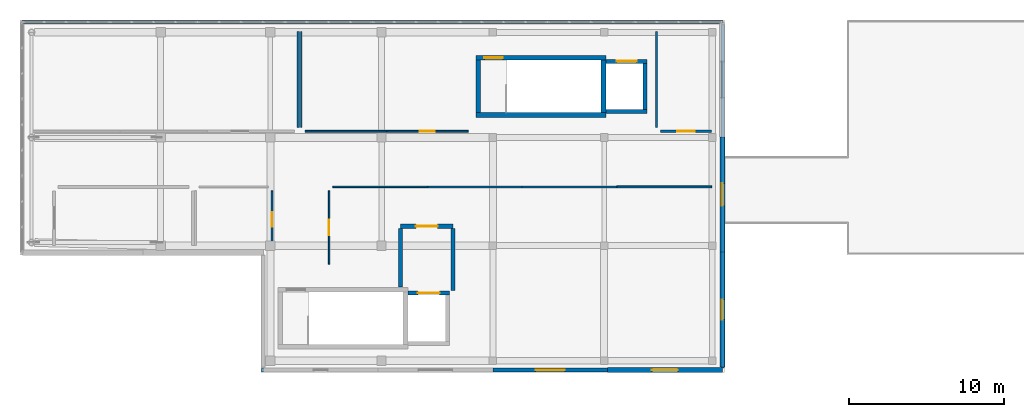
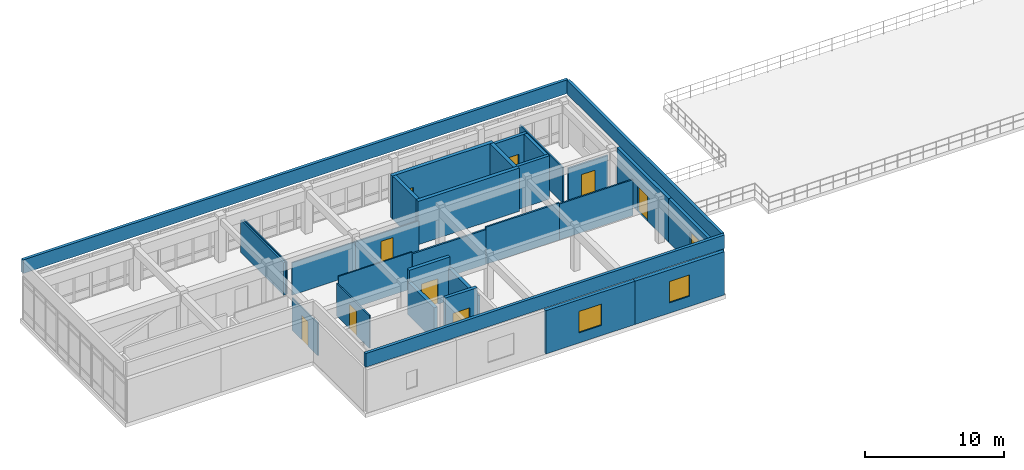
# One storey, part 13 of 14: 30 walls, 9 doors, 3 windows, 12 openings.
"""IFC4 building model written with IfcOpenShell, lengths in metres."""

from ifc_helpers import new_model, si_unit, direction, frame, frame_2d, origin, place, context, subcontext, project, spatial, rectangle, extrude, material, layer, layer_set, type_object, element, fill, save


model = new_model("IFC4")

# Units and contexts
model_context = context("Model", 3, precision=1e-05, world=origin(), true_north=direction((0.0, 1.0)))
body_context = subcontext(model_context, "Body", "Model", "MODEL_VIEW")
ifc_project = project(units=[si_unit("LENGTHUNIT", "METRE"), si_unit("AREAUNIT", "SQUARE_METRE"), si_unit("VOLUMEUNIT", "CUBIC_METRE"), si_unit("PLANEANGLEUNIT", "RADIAN"), si_unit("MASSUNIT", "GRAM", prefix="KILO")], contexts=[model_context])

# Site, building, storey
site_placement = place(None, origin())
site = spatial("IfcSite", under=ifc_project, at=site_placement, CompositionType="ELEMENT")
building_placement = place(site_placement, origin())
building = spatial("IfcBuilding", under=site, at=building_placement, Name="Valcora Specialist Clinic", CompositionType="ELEMENT")
storey_placement = place(building_placement, frame((0.0, 0.0, 21.760009765625)))
storey = spatial("IfcBuildingStorey", under=building, at=storey_placement, Name="L05", CompositionType="ELEMENT", Elevation=21.760009765625)

# Wall, opening, door
ifc_material_1 = material(Name="Concrete C40/50", Category="concrete")
ifc_layer_1 = layer(ifc_material_1, 0.284912109375)
ifc_layer_set_1 = layer_set([ifc_layer_1], Name="Concrete C40/50")
wall_type_1 = type_object("IfcWallType", Name="TY-WL-CR285", PredefinedType="SHEAR", material=ifc_layer_set_1)
wall_1_placement = place(storey_placement, frame((24.6201171875, 9.4599609375, 0.0), z_axis=(0.0, 0.0, 1.0), x_axis=(1.0, 0.0, 0.0)))
wall_1 = element("IfcWall", 1, at=wall_1_placement, inside=storey, type_object=wall_type_1, Name="Firefighting lobby front wall WL-FFL-LF-05-L05-F", PredefinedType="SHEAR", context=body_context, shape_type="SweptSolid", body=[
    extrude(rectangle(XDim=3.39990234375, YDim=0.284912109375, at=frame_2d((1.699951171875, 0.0))), origin(), (0.0, 0.0, 1.0), 3.81005859375),
])
opening_1_placement = place(wall_1_placement, frame((1.0, 0.0, 0.0)))
opening_1 = element("IfcOpeningElement", 2, at=opening_1_placement, cuts=wall_1, Name="Opening DR-FF-140", PredefinedType="OPENING", context=body_context, shape_type="SweptSolid", body=[
    extrude(rectangle(XDim=1.39990234375, YDim=2.25, at=frame_2d((0.699951171875, 1.125))), frame((0.0, 0.15234375, 0.0), z_axis=(0.0, -1.0, 0.0), x_axis=(1.0, 0.0, 0.0)), (0.0, 0.0, 1.0), 0.304931640625),
])
ifc_material_2 = material(Name="Galvanized Hollow Metal Door Steel ASTM A653", Category="steel")
door_type_1 = type_object("IfcDoorType", Name="TY-DR-FF140", OperationType="NOTDEFINED", PredefinedType="DOOR", material=ifc_material_2)
door_1_placement = place(opening_1_placement, origin())
door_1 = element("IfcDoor", 3, at=door_1_placement, inside=storey, type_object=door_type_1, Name="Firefighting lobby fire door LF-05 L05", OperationType="SINGLE_SWING_LEFT", OverallHeight=2.25, OverallWidth=1.39990234375, PredefinedType="DOOR", context=body_context, shape_type="SweptSolid", body=[
    extrude(rectangle(XDim=1.39990234375, YDim=2.25, at=frame_2d((0.699951171875, 1.125))), frame((0.0, 0.02490234375, 0.0), z_axis=(0.0, -1.0, 0.0), x_axis=(1.0, 0.0, 0.0)), (0.0, 0.0, 1.0), 0.050048828125),
])
fill(opening_1, door_1)

# Walls
wall_2_placement = place(storey_placement, frame((24.6201171875, 5.52001953125, 0.0), z_axis=(0.0, 0.0, 1.0), x_axis=(0.0, 1.0, 0.0)))
element("IfcWall", 4, at=wall_2_placement, inside=storey, type_object=wall_type_1, Name="Firefighting lobby west wall", PredefinedType="SHEAR", context=body_context, shape_type="SweptSolid", body=[
    extrude(rectangle(XDim=3.7900390625, YDim=0.284912109375, at=frame_2d((1.89501953125, 0.0))), origin(), (0.0, 0.0, 1.0), 2.860107421875),
])
wall_3_placement = place(storey_placement, frame((28.02001953125, 5.280029296875, 0.0), z_axis=(0.0, 0.0, 1.0), x_axis=(0.0, 1.0, 0.0)))
element("IfcWall", 5, at=wall_3_placement, inside=storey, type_object=wall_type_1, Name="Firefighting lobby east wall", PredefinedType="SHEAR", context=body_context, shape_type="SweptSolid", body=[
    extrude(rectangle(XDim=4.030029296875, YDim=0.284912109375, at=frame_2d((2.01513671875, 0.0))), origin(), (0.0, 0.0, 1.0), 2.860107421875),
])
ifc_layer_2 = layer(ifc_material_1, 0.300048828125)
ifc_layer_set_2 = layer_set([ifc_layer_2], Name="Concrete C40/50")
wall_type_2 = type_object("IfcWallType", Name="TY-WL-CR300", PredefinedType="SHEAR", material=ifc_layer_set_2)
wall_4_placement = place(storey_placement, frame((29.5, 16.64990234375, 0.0), z_axis=(0.0, 0.0, 1.0), x_axis=(1.0, 0.0, 0.0)))
element("IfcWall", 6, at=wall_4_placement, inside=storey, type_object=wall_type_2, Name="Core shear wall WL-CR-C-V5B-L05-S", PredefinedType="SHEAR", context=body_context, shape_type="SweptSolid", body=[
    extrude(rectangle(XDim=8.419921875, YDim=0.300048828125, at=frame_2d((4.2099609375, 0.0))), origin(), (0.0, 0.0, 1.0), 3.81005859375),
])

# Wall, opening, door
wall_5_placement = place(storey_placement, frame((29.5, 20.35009765625, 0.0), z_axis=(0.0, 0.0, 1.0), x_axis=(1.0, 0.0, 0.0)))
wall_5 = element("IfcWall", 7, at=wall_5_placement, inside=storey, type_object=wall_type_2, Name="Core shear wall WL-CR-C-V5B-L05-N", PredefinedType="SHEAR", context=body_context, shape_type="SweptSolid", body=[
    extrude(rectangle(XDim=8.419921875, YDim=0.300048828125, at=frame_2d((4.2099609375, 0.0))), origin(), (0.0, 0.0, 1.0), 3.81005859375),
])
opening_2_placement = place(wall_5_placement, frame((0.550048828125, 0.0, 0.0)))
opening_2 = element("IfcOpeningElement", 8, at=opening_2_placement, cuts=wall_5, Name="Opening DR-FD-120", PredefinedType="OPENING", context=body_context, shape_type="SweptSolid", body=[
    extrude(rectangle(XDim=1.199951171875, YDim=2.199951171875, at=frame_2d((0.60009765625, 1.10009765625))), frame((0.0, 0.159912109375, 0.0), z_axis=(0.0, -1.0, 0.0), x_axis=(1.0, 0.0, 0.0)), (0.0, 0.0, 1.0), 0.320068359375),
])
door_type_2 = type_object("IfcDoorType", Name="TY-DR-ST120", OperationType="NOTDEFINED", PredefinedType="DOOR", material=ifc_material_2)
door_2_placement = place(opening_2_placement, origin())
door_2 = element("IfcDoor", 9, at=door_2_placement, inside=storey, type_object=door_type_2, Name="Exit stair fire door C-V5B L05", OperationType="SINGLE_SWING_RIGHT", OverallHeight=2.199951171875, OverallWidth=1.199951171875, PredefinedType="DOOR", context=body_context, shape_type="SweptSolid", body=[
    extrude(rectangle(XDim=1.199951171875, YDim=2.199951171875, at=frame_2d((0.60009765625, 1.10009765625))), frame((0.0, 0.02490234375, 0.0), z_axis=(0.0, -1.0, 0.0), x_axis=(1.0, 0.0, 0.0)), (0.0, 0.0, 1.0), 0.050048828125),
])
fill(opening_2, door_2)

# Walls
wall_6_placement = place(storey_placement, frame((29.64990234375, 16.802001953125, 0.0), z_axis=(0.0, 0.0, 1.0), x_axis=(0.0, 1.0, 0.0)))
element("IfcWall", 10, at=wall_6_placement, inside=storey, type_object=wall_type_2, Name="Core shear wall WL-CR-C-V5B-L05-W", PredefinedType="SHEAR", context=body_context, shape_type="SweptSolid", body=[
    extrude(rectangle(XDim=3.39599609375, YDim=0.300048828125, at=frame_2d((1.697998046875, 0.0))), origin(), (0.0, 0.0, 1.0), 3.81005859375),
])
ifc_layer_3 = layer(ifc_material_1, 0.320068359375)
ifc_layer_set_3 = layer_set([ifc_layer_3], Name="Concrete C40/50")
wall_type_3 = type_object("IfcWallType", Name="TY-WL-CR320", PredefinedType="SHEAR", material=ifc_layer_set_3)
wall_7_placement = place(storey_placement, frame((37.760009765625, 16.802001953125, 0.0), z_axis=(0.0, 0.0, 1.0), x_axis=(0.0, 1.0, 0.0)))
element("IfcWall", 11, at=wall_7_placement, inside=storey, type_object=wall_type_3, Name="Core shear wall WL-CR-C-V5B-L05-E", PredefinedType="SHEAR", context=body_context, shape_type="SweptSolid", body=[
    extrude(rectangle(XDim=3.39599609375, YDim=0.320068359375, at=frame_2d((1.697998046875, 0.0))), origin(), (0.0, 0.0, 1.0), 3.81005859375),
])

# Wall, opening, window
ifc_material_3 = material(Name="Extruded Jalisco Clay Brick Masonry", Category="masonry")
ifc_layer_4 = layer(ifc_material_3, 0.280029296875)
ifc_layer_set_4 = layer_set([ifc_layer_4], Name="Extruded Jalisco Clay Brick Masonry")
wall_type_4 = type_object("IfcWallType", Name="TY-WL-EW280", PredefinedType="SOLIDWALL", material=ifc_layer_set_4)
wall_8_placement = place(storey_placement, frame((38.02490234375, 0.14990234375, 0.0), z_axis=(0.0, 0.0, 1.0), x_axis=(-1.0, 0.0, 0.0)))
wall_8 = element("IfcWall", 12, at=wall_8_placement, inside=storey, type_object=wall_type_4, Name="Exterior wall WL-EXT-L05-0297", PredefinedType="SOLIDWALL", context=body_context, shape_type="SweptSolid", body=[
    extrude(rectangle(XDim=7.4248046875, YDim=0.280029296875, at=frame_2d((3.71240234375, 0.0))), origin(), (0.0, 0.0, 1.0), 3.81005859375),
])
opening_3_placement = place(wall_8_placement, frame((2.77197265625, 0.0, 0.89990234375)))
opening_3 = element("IfcOpeningElement", 13, at=opening_3_placement, cuts=wall_8, Name="Opening WN-41", PredefinedType="OPENING", context=body_context, shape_type="SweptSolid", body=[
    extrude(rectangle(XDim=1.8798828125, YDim=1.8798828125, at=frame_2d((0.93994140625, 0.93994140625))), frame((0.0, 0.14990234375, 0.0), z_axis=(0.0, -1.0, 0.0), x_axis=(1.0, 0.0, 0.0)), (0.0, 0.0, 1.0), 0.300048828125),
])
ifc_material_4 = material(Name="Low-E Laminated Insulating Glass", Category="glass")
window_type_1 = type_object("IfcWindowType", Name="TY-WN-41", PartitioningType="SINGLE_PANEL", PredefinedType="WINDOW", material=ifc_material_4)
window_1_placement = place(opening_3_placement, origin())
window_1 = element("IfcWindow", 14, at=window_1_placement, inside=storey, type_object=window_type_1, Name="Facade window WN-L05-0251", OverallHeight=1.8798828125, OverallWidth=1.8798828125, PartitioningType="SINGLE_PANEL", PredefinedType="WINDOW", context=body_context, shape_type="SweptSolid", body=[
    extrude(rectangle(XDim=1.8798828125, YDim=1.8798828125, at=frame_2d((0.93994140625, 0.93994140625))), frame((0.0, 0.030029296875, 0.0), z_axis=(0.0, -1.0, 0.0), x_axis=(1.0, 0.0, 0.0)), (0.0, 0.0, 1.0), 0.06005859375),
])
fill(opening_3, window_1)

ifc_layer_5 = layer(ifc_material_3, 0.294921875)
ifc_layer_set_5 = layer_set([ifc_layer_5], Name="Extruded Jalisco Clay Brick Masonry")
wall_type_5 = type_object("IfcWallType", Name="TY-WL-EW295", PredefinedType="SOLIDWALL", material=ifc_layer_set_5)
wall_9_placement = place(storey_placement, frame((45.449951171875, 0.14990234375, 0.0), z_axis=(0.0, 0.0, 1.0), x_axis=(-1.0, 0.0, 0.0)))
wall_9 = element("IfcWall", 15, at=wall_9_placement, inside=storey, type_object=wall_type_5, Name="Exterior wall WL-EXT-L05-0296", PredefinedType="SOLIDWALL", context=body_context, shape_type="SweptSolid", body=[
    extrude(rectangle(XDim=7.425048828125, YDim=0.294921875, at=frame_2d((3.71240234375, 0.0))), origin(), (0.0, 0.0, 1.0), 3.81005859375),
])
opening_4_placement = place(wall_9_placement, frame((2.873046875, 0.0, 0.89990234375)))
opening_4 = element("IfcOpeningElement", 16, at=opening_4_placement, cuts=wall_9, Name="Opening WN-40", PredefinedType="OPENING", context=body_context, shape_type="SweptSolid", body=[
    extrude(rectangle(XDim=1.679931640625, YDim=1.8798828125, at=frame_2d((0.83984375, 0.93994140625))), frame((0.0, 0.157470703125, 0.0), z_axis=(0.0, -1.0, 0.0), x_axis=(1.0, 0.0, 0.0)), (0.0, 0.0, 1.0), 0.31494140625),
])
window_type_2 = type_object("IfcWindowType", Name="TY-WN-40", PartitioningType="SINGLE_PANEL", PredefinedType="WINDOW", material=ifc_material_4)
window_2_placement = place(opening_4_placement, origin())
window_2 = element("IfcWindow", 17, at=window_2_placement, inside=storey, type_object=window_type_2, Name="Facade window WN-L05-0250", OverallHeight=1.8798828125, OverallWidth=1.679931640625, PartitioningType="SINGLE_PANEL", PredefinedType="WINDOW", context=body_context, shape_type="SweptSolid", body=[
    extrude(rectangle(XDim=1.679931640625, YDim=1.8798828125, at=frame_2d((0.83984375, 0.93994140625))), frame((0.0, 0.030029296875, 0.0), z_axis=(0.0, -1.0, 0.0), x_axis=(1.0, 0.0, 0.0)), (0.0, 0.0, 1.0), 0.06005859375),
])
fill(opening_4, window_2)

ifc_layer_6 = layer(ifc_material_3, 0.31005859375)
ifc_layer_set_6 = layer_set([ifc_layer_6], Name="Extruded Jalisco Clay Brick Masonry")
wall_type_6 = type_object("IfcWallType", Name="TY-WL-EW310", PredefinedType="SOLIDWALL", material=ifc_layer_set_6)
wall_10_placement = place(storey_placement, frame((45.449951171875, 7.776611328125, 0.0), z_axis=(0.0, 0.0, 1.0), x_axis=(0.0, -1.0, 0.0)))
wall_10 = element("IfcWall", 18, at=wall_10_placement, inside=storey, type_object=wall_type_6, Name="Exterior wall WL-EXT-L05-0295", PredefinedType="SOLIDWALL", context=body_context, shape_type="SweptSolid", body=[
    extrude(rectangle(XDim=7.4365234375, YDim=0.31005859375, at=frame_2d((3.71826171875, 0.0))), origin(), (0.0, 0.0, 1.0), 3.81005859375),
])
opening_5_placement = place(wall_10_placement, frame((3.077880859375, 0.0, 0.89990234375)))
opening_5 = element("IfcOpeningElement", 19, at=opening_5_placement, cuts=wall_10, Name="Opening WN-39", PredefinedType="OPENING", context=body_context, shape_type="SweptSolid", body=[
    extrude(rectangle(XDim=1.280029296875, YDim=1.8798828125, at=frame_2d((0.64013671875, 0.93994140625))), frame((0.0, 0.1650390625, 0.0), z_axis=(0.0, -1.0, 0.0), x_axis=(1.0, 0.0, 0.0)), (0.0, 0.0, 1.0), 0.330078125),
])
window_type_3 = type_object("IfcWindowType", Name="TY-WN-39", PartitioningType="SINGLE_PANEL", PredefinedType="WINDOW", material=ifc_material_4)
window_3_placement = place(opening_5_placement, origin())
window_3 = element("IfcWindow", 20, at=window_3_placement, inside=storey, type_object=window_type_3, Name="Facade window WN-L05-0249", OverallHeight=1.8798828125, OverallWidth=1.280029296875, PartitioningType="SINGLE_PANEL", PredefinedType="WINDOW", context=body_context, shape_type="SweptSolid", body=[
    extrude(rectangle(XDim=1.280029296875, YDim=1.8798828125, at=frame_2d((0.64013671875, 0.93994140625))), frame((0.0, 0.030029296875, 0.0), z_axis=(0.0, -1.0, 0.0), x_axis=(1.0, 0.0, 0.0)), (0.0, 0.0, 1.0), 0.06005859375),
])
fill(opening_5, window_3)

# Wall, opening, door
ifc_layer_7 = layer(ifc_material_3, 0.324951171875)
ifc_layer_set_7 = layer_set([ifc_layer_7], Name="Extruded Jalisco Clay Brick Masonry")
wall_type_7 = type_object("IfcWallType", Name="TY-WL-EW325", PredefinedType="SOLIDWALL", material=ifc_layer_set_7)
wall_11_placement = place(storey_placement, frame((45.449951171875, 15.21337890625, 0.0), z_axis=(0.0, 0.0, 1.0), x_axis=(0.0, -1.0, 0.0)))
wall_11 = element("IfcWall", 21, at=wall_11_placement, inside=storey, type_object=wall_type_7, Name="Exterior wall WL-EXT-L05-0294", PredefinedType="SOLIDWALL", context=body_context, shape_type="SweptSolid", body=[
    extrude(rectangle(XDim=7.436767578125, YDim=0.324951171875, at=frame_2d((3.71826171875, 0.0))), origin(), (0.0, 0.0, 1.0), 3.81005859375),
])
opening_6_placement = place(wall_11_placement, frame((2.992919921875, 0.0, 0.0)))
opening_6 = element("IfcOpeningElement", 22, at=opening_6_placement, cuts=wall_11, Name="Opening DR-TR-145", PredefinedType="OPENING", context=body_context, shape_type="SweptSolid", body=[
    extrude(rectangle(XDim=1.449951171875, YDim=2.199951171875, at=frame_2d((0.72509765625, 1.10009765625))), frame((0.0, 0.17236328125, 0.0), z_axis=(0.0, -1.0, 0.0), x_axis=(1.0, 0.0, 0.0)), (0.0, 0.0, 1.0), 0.344970703125),
])
ifc_material_5 = material(Name="Anodized Bronze Aluminium 6063-T6", Category="aluminium")
door_type_3 = type_object("IfcDoorType", Name="TY-DR-TR145", OperationType="NOTDEFINED", PredefinedType="DOOR", material=ifc_material_5)
door_3_placement = place(opening_6_placement, origin())
door_3 = element("IfcDoor", 23, at=door_3_placement, inside=storey, type_object=door_type_3, Name="Exterior door DR-EXT-L05-019", OperationType="SINGLE_SWING_LEFT", OverallHeight=2.199951171875, OverallWidth=1.449951171875, PredefinedType="DOOR", context=body_context, shape_type="SweptSolid", body=[
    extrude(rectangle(XDim=1.449951171875, YDim=2.199951171875, at=frame_2d((0.72509765625, 1.10009765625))), frame((0.0, 0.02490234375, 0.0), z_axis=(0.0, -1.0, 0.0), x_axis=(1.0, 0.0, 0.0)), (0.0, 0.0, 1.0), 0.050048828125),
])
fill(opening_6, door_3)

# Walls
ifc_layer_8 = layer(ifc_material_3, 0.2451171875)
ifc_layer_set_8 = layer_set([ifc_layer_8], Name="Extruded Jalisco Clay Brick Masonry")
wall_type_8 = type_object("IfcWallType", Name="TY-WL-PP245", PredefinedType="PARAPET", material=ifc_layer_set_8)
wall_12_placement = place(storey_placement, frame((15.6201171875, 0.1298828125, 4.080078125), z_axis=(0.0, 0.0, 1.0), x_axis=(1.0, 0.0, 0.0)))
element("IfcWall", 24, at=wall_12_placement, inside=storey, type_object=wall_type_8, Name="Roof parapet 1", PredefinedType="PARAPET", context=body_context, shape_type="SweptSolid", body=[
    extrude(rectangle(XDim=29.849853515625, YDim=0.2451171875, at=frame_2d((14.9248046875, 0.0))), origin(), (0.0, 0.0, 1.0), 1.199951171875),
])
wall_13_placement = place(storey_placement, frame((45.469970703125, 0.280029296875, 4.080078125), z_axis=(0.0, 0.0, 1.0), x_axis=(0.0, 1.0, 0.0)))
element("IfcWall", 25, at=wall_13_placement, inside=storey, type_object=wall_type_8, Name="Roof parapet 2", PredefinedType="PARAPET", context=body_context, shape_type="SweptSolid", body=[
    extrude(rectangle(XDim=22.239990234375, YDim=0.2451171875, at=frame_2d((11.1201171875, 0.0))), origin(), (0.0, 0.0, 1.0), 1.199951171875),
])
wall_14_placement = place(storey_placement, frame((45.469970703125, 22.669921875, 4.080078125), z_axis=(0.0, 0.0, 1.0), x_axis=(-1.0, 0.0, 0.0)))
element("IfcWall", 26, at=wall_14_placement, inside=storey, type_object=wall_type_8, Name="Roof parapet 3", PredefinedType="PARAPET", context=body_context, shape_type="SweptSolid", body=[
    extrude(rectangle(XDim=45.340087890625, YDim=0.2451171875, at=frame_2d((22.669921875, 0.0))), origin(), (0.0, 0.0, 1.0), 1.199951171875),
])
ifc_material_6 = material(Name="Gypsum Board Partition Assembly")
ifc_layer_9 = layer(ifc_material_6, 0.094970703125)
ifc_layer_set_9 = layer_set([ifc_layer_9], Name="Gypsum Board Partition Assembly")
wall_type_9 = type_object("IfcWallType", Name="TY-WL-PT095", PredefinedType="PARTITIONING", material=ifc_layer_set_9)
wall_15_placement = place(storey_placement, frame((20.25, 12.0, 0.0), z_axis=(0.0, 0.0, 1.0), x_axis=(1.0, 0.0, 0.0)))
element("IfcWall", 27, at=wall_15_placement, inside=storey, type_object=wall_type_9, Name="Interior partition WL-INT-L05-0497", PredefinedType="PARTITIONING", context=body_context, shape_type="SweptSolid", body=[
    extrude(rectangle(XDim=6.125, YDim=0.094970703125, at=frame_2d((3.0625, 0.0))), origin(), (0.0, 0.0, 1.0), 3.2099609375),
])
wall_16_placement = place(storey_placement, frame((18.199951171875, 15.85009765625, 0.0), z_axis=(0.0, 0.0, 1.0), x_axis=(0.0, 1.0, 0.0)))
element("IfcWall", 28, at=wall_16_placement, inside=storey, type_object=wall_type_9, Name="Interior partition WL-INT-L05-0503", PredefinedType="PARTITIONING", context=body_context, shape_type="SweptSolid", body=[
    extrude(rectangle(XDim=6.199951171875, YDim=0.094970703125, at=frame_2d((3.10009765625, 0.0))), origin(), (0.0, 0.0, 1.0), 2.860107421875),
])

# Wall, opening, door
ifc_layer_10 = layer(ifc_material_6, 0.10498046875)
ifc_layer_set_10 = layer_set([ifc_layer_10], Name="Gypsum Board Partition Assembly")
wall_type_10 = type_object("IfcWallType", Name="TY-WL-PT105", PredefinedType="PARTITIONING", material=ifc_layer_set_10)
wall_17_placement = place(storey_placement, frame((20.0, 7.0, 0.0), z_axis=(0.0, 0.0, 1.0), x_axis=(0.0, 1.0, 0.0)))
wall_17 = element("IfcWall", 29, at=wall_17_placement, inside=storey, type_object=wall_type_10, Name="Interior partition WL-INT-L05-0496", PredefinedType="PARTITIONING", context=body_context, shape_type="SweptSolid", body=[
    extrude(rectangle(XDim=4.75, YDim=0.10498046875, at=frame_2d((2.375, 0.0))), origin(), (0.0, 0.0, 1.0), 2.860107421875),
])
opening_7_placement = place(wall_17_placement, frame((1.864990234375, 0.0, 0.0)))
opening_7 = element("IfcOpeningElement", 30, at=opening_7_placement, cuts=wall_17, Name="Opening DR-CN-102", PredefinedType="OPENING", context=body_context, shape_type="SweptSolid", body=[
    extrude(rectangle(XDim=1.02001953125, YDim=2.14990234375, at=frame_2d((0.510009765625, 1.074951171875))), frame((0.0, 0.0625, 0.0), z_axis=(0.0, -1.0, 0.0), x_axis=(1.0, 0.0, 0.0)), (0.0, 0.0, 1.0), 0.125),
])
ifc_material_7 = material(Name="Glulam Conifer Class 24F", Category="wood")
door_type_4 = type_object("IfcDoorType", Name="TY-DR-CN102", OperationType="NOTDEFINED", PredefinedType="DOOR", material=ifc_material_7)
door_4_placement = place(opening_7_placement, origin())
door_4 = element("IfcDoor", 31, at=door_4_placement, inside=storey, type_object=door_type_4, Name="Interior door DR-INT-L05-0139", OperationType="SINGLE_SWING_LEFT", OverallHeight=2.14990234375, OverallWidth=1.02001953125, PredefinedType="DOOR", context=body_context, shape_type="SweptSolid", body=[
    extrude(rectangle(XDim=1.02001953125, YDim=2.14990234375, at=frame_2d((0.510009765625, 1.074951171875))), frame((0.0, 0.02490234375, 0.0), z_axis=(0.0, -1.0, 0.0), x_axis=(1.0, 0.0, 0.0)), (0.0, 0.0, 1.0), 0.050048828125),
])
fill(opening_7, door_4)

# Wall
wall_18_placement = place(storey_placement, frame((23.72509765625, 15.60009765625, 0.0), z_axis=(0.0, 0.0, 1.0), x_axis=(-1.0, 0.0, 0.0)))
element("IfcWall", 32, at=wall_18_placement, inside=storey, type_object=wall_type_10, Name="Interior partition WL-INT-L05-0502", PredefinedType="PARTITIONING", context=body_context, shape_type="SweptSolid", body=[
    extrude(rectangle(XDim=5.275146484375, YDim=0.10498046875, at=frame_2d((2.6376953125, 0.0))), origin(), (0.0, 0.0, 1.0), 2.860107421875),
])

# Wall, opening, door
ifc_layer_11 = layer(ifc_material_6, 0.114990234375)
ifc_layer_set_11 = layer_set([ifc_layer_11], Name="Gypsum Board Partition Assembly")
wall_type_11 = type_object("IfcWallType", Name="TY-WL-PT115", PredefinedType="PARTITIONING", material=ifc_layer_set_11)
wall_19_placement = place(storey_placement, frame((29.0, 15.60009765625, 0.0), z_axis=(0.0, 0.0, 1.0), x_axis=(-1.0, 0.0, 0.0)))
wall_19 = element("IfcWall", 33, at=wall_19_placement, inside=storey, type_object=wall_type_11, Name="Interior partition WL-INT-L05-0501", PredefinedType="PARTITIONING", context=body_context, shape_type="SweptSolid", body=[
    extrude(rectangle(XDim=5.27490234375, YDim=0.114990234375, at=frame_2d((2.637451171875, 0.0))), origin(), (0.0, 0.0, 1.0), 2.860107421875),
])
opening_8_placement = place(wall_19_placement, frame((2.14697265625, 0.0, 0.0)))
opening_8 = element("IfcOpeningElement", 34, at=opening_8_placement, cuts=wall_19, Name="Opening DR-CN-098", PredefinedType="OPENING", context=body_context, shape_type="SweptSolid", body=[
    extrude(rectangle(XDim=0.97998046875, YDim=2.14990234375, at=frame_2d((0.489990234375, 1.074951171875))), frame((0.0, 0.0673828125, 0.0), z_axis=(0.0, -1.0, 0.0), x_axis=(1.0, 0.0, 0.0)), (0.0, 0.0, 1.0), 0.135009765625),
])
door_type_5 = type_object("IfcDoorType", Name="TY-DR-CN098", OperationType="NOTDEFINED", PredefinedType="DOOR", material=ifc_material_7)
door_5_placement = place(opening_8_placement, origin())
door_5 = element("IfcDoor", 35, at=door_5_placement, inside=storey, type_object=door_type_5, Name="Interior door DR-INT-L05-0140", OperationType="SINGLE_SWING_RIGHT", OverallHeight=2.14990234375, OverallWidth=0.97998046875, PredefinedType="DOOR", context=body_context, shape_type="SweptSolid", body=[
    extrude(rectangle(XDim=0.97998046875, YDim=2.14990234375, at=frame_2d((0.489990234375, 1.074951171875))), frame((0.0, 0.02490234375, 0.0), z_axis=(0.0, -1.0, 0.0), x_axis=(1.0, 0.0, 0.0)), (0.0, 0.0, 1.0), 0.050048828125),
])
fill(opening_8, door_5)

wall_20_placement = place(storey_placement, frame((16.300048828125, 11.75, 0.0), z_axis=(0.0, 0.0, 1.0), x_axis=(0.0, -1.0, 0.0)))
wall_20 = element("IfcWall", 36, at=wall_20_placement, inside=storey, type_object=wall_type_11, Name="Interior partition WL-INT-L05-0507", PredefinedType="PARTITIONING", context=body_context, shape_type="SweptSolid", body=[
    extrude(rectangle(XDim=3.699951171875, YDim=0.114990234375, at=frame_2d((1.85009765625, 0.0))), origin(), (0.0, 0.0, 1.0), 2.860107421875),
])
opening_9_placement = place(wall_20_placement, frame((1.375, 0.0, 0.0)))
opening_9 = element("IfcOpeningElement", 37, at=opening_9_placement, cuts=wall_20, Name="Opening DR-WC-095", PredefinedType="OPENING", context=body_context, shape_type="SweptSolid", body=[
    extrude(rectangle(XDim=0.949951171875, YDim=2.14990234375, at=frame_2d((0.47509765625, 1.074951171875))), frame((0.0, 0.0673828125, 0.0), z_axis=(0.0, -1.0, 0.0), x_axis=(1.0, 0.0, 0.0)), (0.0, 0.0, 1.0), 0.135009765625),
])
door_type_6 = type_object("IfcDoorType", Name="TY-DR-WC095", OperationType="NOTDEFINED", PredefinedType="DOOR", material=ifc_material_7)
door_6_placement = place(opening_9_placement, origin())
door_6 = element("IfcDoor", 38, at=door_6_placement, inside=storey, type_object=door_type_6, Name="Interior door DR-INT-L05-0142", OperationType="SINGLE_SWING_RIGHT", OverallHeight=2.14990234375, OverallWidth=0.949951171875, PredefinedType="DOOR", context=body_context, shape_type="SweptSolid", body=[
    extrude(rectangle(XDim=0.949951171875, YDim=2.14990234375, at=frame_2d((0.47509765625, 1.074951171875))), frame((0.0, 0.02490234375, 0.0), z_axis=(0.0, -1.0, 0.0), x_axis=(1.0, 0.0, 0.0)), (0.0, 0.0, 1.0), 0.050048828125),
])
fill(opening_9, door_6)

# Walls
ifc_layer_12 = layer(ifc_material_6, 0.125)
ifc_layer_set_12 = layer_set([ifc_layer_12], Name="Gypsum Board Partition Assembly")
wall_type_12 = type_object("IfcWallType", Name="TY-WL-PT125", PredefinedType="PARTITIONING", material=ifc_layer_set_12)
wall_21_placement = place(storey_placement, frame((38.625, 12.0, 0.0), z_axis=(0.0, 0.0, 1.0), x_axis=(1.0, 0.0, 0.0)))
element("IfcWall", 39, at=wall_21_placement, inside=storey, type_object=wall_type_12, Name="Interior partition WL-INT-L05-0500", PredefinedType="PARTITIONING", context=body_context, shape_type="SweptSolid", body=[
    extrude(rectangle(XDim=6.125, YDim=0.125, at=frame_2d((3.0625, 0.0))), origin(), (0.0, 0.0, 1.0), 3.159912109375),
])
ifc_layer_13 = layer(ifc_material_6, 0.135009765625)
ifc_layer_set_13 = layer_set([ifc_layer_13], Name="Gypsum Board Partition Assembly")
wall_type_13 = type_object("IfcWallType", Name="TY-WL-PT135", PredefinedType="PARTITIONING", material=ifc_layer_set_13)
wall_22_placement = place(storey_placement, frame((32.5, 12.0, 0.0), z_axis=(0.0, 0.0, 1.0), x_axis=(1.0, 0.0, 0.0)))
element("IfcWall", 40, at=wall_22_placement, inside=storey, type_object=wall_type_13, Name="Interior partition WL-INT-L05-0499", PredefinedType="PARTITIONING", context=body_context, shape_type="SweptSolid", body=[
    extrude(rectangle(XDim=6.125, YDim=0.135009765625, at=frame_2d((3.0625, 0.0))), origin(), (0.0, 0.0, 1.0), 3.260009765625),
])
wall_23_placement = place(storey_placement, frame((41.199951171875, 15.85009765625, 0.0), z_axis=(0.0, 0.0, 1.0), x_axis=(0.0, 1.0, 0.0)))
element("IfcWall", 41, at=wall_23_placement, inside=storey, type_object=wall_type_13, Name="Interior partition WL-INT-L05-0511", PredefinedType="PARTITIONING", context=body_context, shape_type="SweptSolid", body=[
    extrude(rectangle(XDim=6.199951171875, YDim=0.135009765625, at=frame_2d((3.10009765625, 0.0))), origin(), (0.0, 0.0, 1.0), 3.110107421875),
])
ifc_layer_14 = layer(ifc_material_6, 0.14501953125)
ifc_layer_set_14 = layer_set([ifc_layer_14], Name="Gypsum Board Partition Assembly")
wall_type_14 = type_object("IfcWallType", Name="TY-WL-PT145", PredefinedType="PARTITIONING", material=ifc_layer_set_14)
wall_24_placement = place(storey_placement, frame((18.0, 22.050048828125, 0.0), z_axis=(0.0, 0.0, 1.0), x_axis=(0.0, -1.0, 0.0)))
element("IfcWall", 42, at=wall_24_placement, inside=storey, type_object=wall_type_14, Name="Interior partition WL-INT-L05-0492", PredefinedType="PARTITIONING", context=body_context, shape_type="SweptSolid", body=[
    extrude(rectangle(XDim=6.199951171875, YDim=0.14501953125, at=frame_2d((3.10009765625, 0.0))), origin(), (0.0, 0.0, 1.0), 2.860107421875),
])
wall_25_placement = place(storey_placement, frame((26.375, 12.0, 0.0), z_axis=(0.0, 0.0, 1.0), x_axis=(1.0, 0.0, 0.0)))
element("IfcWall", 43, at=wall_25_placement, inside=storey, type_object=wall_type_14, Name="Interior partition WL-INT-L05-0498", PredefinedType="PARTITIONING", context=body_context, shape_type="SweptSolid", body=[
    extrude(rectangle(XDim=6.125, YDim=0.14501953125, at=frame_2d((3.0625, 0.0))), origin(), (0.0, 0.0, 1.0), 3.06005859375),
])

# Wall, opening, door
wall_26_placement = place(storey_placement, frame((44.75, 15.60009765625, 0.0), z_axis=(0.0, 0.0, 1.0), x_axis=(-1.0, 0.0, 0.0)))
wall_26 = element("IfcWall", 44, at=wall_26_placement, inside=storey, type_object=wall_type_14, Name="Interior partition WL-INT-L05-0510", PredefinedType="PARTITIONING", context=body_context, shape_type="SweptSolid", body=[
    extrude(rectangle(XDim=3.300048828125, YDim=0.14501953125, at=frame_2d((1.64990234375, 0.0))), origin(), (0.0, 0.0, 1.0), 3.110107421875),
])
opening_10_placement = place(wall_26_placement, frame((1.080078125, 0.0, 0.0)))
opening_10 = element("IfcOpeningElement", 45, at=opening_10_placement, cuts=wall_26, Name="Opening DR-CN-114", PredefinedType="OPENING", context=body_context, shape_type="SweptSolid", body=[
    extrude(rectangle(XDim=1.139892578125, YDim=2.199951171875, at=frame_2d((0.56982421875, 1.10009765625))), frame((0.0, 0.08251953125, 0.0), z_axis=(0.0, -1.0, 0.0), x_axis=(1.0, 0.0, 0.0)), (0.0, 0.0, 1.0), 0.1650390625),
])
door_type_7 = type_object("IfcDoorType", Name="TY-DR-CN114", OperationType="NOTDEFINED", PredefinedType="DOOR", material=ifc_material_7)
door_7_placement = place(opening_10_placement, origin())
door_7 = element("IfcDoor", 46, at=door_7_placement, inside=storey, type_object=door_type_7, Name="Interior door DR-INT-L05-0143", OperationType="SINGLE_SWING_LEFT", OverallHeight=2.199951171875, OverallWidth=1.139892578125, PredefinedType="DOOR", context=body_context, shape_type="SweptSolid", body=[
    extrude(rectangle(XDim=1.139892578125, YDim=2.199951171875, at=frame_2d((0.56982421875, 1.10009765625))), frame((0.0, 0.02490234375, 0.0), z_axis=(0.0, -1.0, 0.0), x_axis=(1.0, 0.0, 0.0)), (0.0, 0.0, 1.0), 0.050048828125),
])
fill(opening_10, door_7)

ifc_layer_15 = layer(ifc_material_1, 0.260009765625)
ifc_layer_set_15 = layer_set([ifc_layer_15], Name="Concrete C40/50")
wall_type_15 = type_object("IfcWallType", Name="TY-WL-SH260", PredefinedType="SHEAR", material=ifc_layer_set_15)
wall_27_placement = place(storey_placement, frame((25.1220703125, 5.1298828125, 0.0), z_axis=(0.0, 0.0, 1.0), x_axis=(1.0, 0.0, 0.0)))
wall_27 = element("IfcWall", 47, at=wall_27_placement, inside=storey, type_object=wall_type_15, Name="Lift shaft wall WL-LF-LF-05-L05-LN", PredefinedType="SHEAR", context=body_context, shape_type="SweptSolid", body=[
    extrude(rectangle(XDim=2.657958984375, YDim=0.260009765625, at=frame_2d((1.3291015625, 0.0))), origin(), (0.0, 0.0, 1.0), 3.81005859375),
])
opening_11_placement = place(wall_27_placement, frame((0.618896484375, 0.0, 0.0)))
opening_11 = element("IfcOpeningElement", 48, at=opening_11_placement, cuts=wall_27, Name="Opening LD-142", PredefinedType="OPENING", context=body_context, shape_type="SweptSolid", body=[
    extrude(rectangle(XDim=1.419921875, YDim=2.25, at=frame_2d((0.7099609375, 1.125))), frame((0.0, 0.139892578125, 0.0), z_axis=(0.0, -1.0, 0.0), x_axis=(1.0, 0.0, 0.0)), (0.0, 0.0, 1.0), 0.280029296875),
])
ifc_material_8 = material(Name="Stainless Steel AISI 316", Category="steel")
door_type_8 = type_object("IfcDoorType", Name="TY-LD-142", OperationType="NOTDEFINED", PredefinedType="DOOR", material=ifc_material_8)
door_8_placement = place(opening_11_placement, origin())
door_8 = element("IfcDoor", 49, at=door_8_placement, inside=storey, type_object=door_type_8, Name="Lift landing sliding door LF-05 L05", OperationType="SLIDING_TO_LEFT", OverallHeight=2.25, OverallWidth=1.419921875, PredefinedType="DOOR", context=body_context, shape_type="SweptSolid", body=[
    extrude(rectangle(XDim=1.419921875, YDim=2.25, at=frame_2d((0.7099609375, 1.125))), frame((0.0, 0.02490234375, 0.0), z_axis=(0.0, -1.0, 0.0), x_axis=(1.0, 0.0, 0.0)), (0.0, 0.0, 1.0), 0.050048828125),
])
fill(opening_11, door_8)

# Wall
wall_28_placement = place(storey_placement, frame((37.922119140625, 16.8701171875, 0.0), z_axis=(0.0, 0.0, 1.0), x_axis=(1.0, 0.0, 0.0)))
element("IfcWall", 50, at=wall_28_placement, inside=storey, type_object=wall_type_15, Name="Lift shaft wall WL-LF-LF-06-L05-LS", PredefinedType="SHEAR", context=body_context, shape_type="SweptSolid", body=[
    extrude(rectangle(XDim=2.657958984375, YDim=0.260009765625, at=frame_2d((1.3291015625, 0.0))), origin(), (0.0, 0.0, 1.0), 3.81005859375),
])

# Wall, opening, door
wall_29_placement = place(storey_placement, frame((37.922119140625, 20.1298828125, 0.0), z_axis=(0.0, 0.0, 1.0), x_axis=(1.0, 0.0, 0.0)))
wall_29 = element("IfcWall", 51, at=wall_29_placement, inside=storey, type_object=wall_type_15, Name="Lift shaft wall WL-LF-LF-06-L05-LN", PredefinedType="SHEAR", context=body_context, shape_type="SweptSolid", body=[
    extrude(rectangle(XDim=2.657958984375, YDim=0.260009765625, at=frame_2d((1.3291015625, 0.0))), origin(), (0.0, 0.0, 1.0), 3.81005859375),
])
opening_12_placement = place(wall_29_placement, frame((0.678955078125, 0.0, 0.0)))
opening_12 = element("IfcOpeningElement", 52, at=opening_12_placement, cuts=wall_29, Name="Opening LD-130", PredefinedType="OPENING", context=body_context, shape_type="SweptSolid", body=[
    extrude(rectangle(XDim=1.300048828125, YDim=2.199951171875, at=frame_2d((0.64990234375, 1.10009765625))), frame((0.0, 0.139892578125, 0.0), z_axis=(0.0, -1.0, 0.0), x_axis=(1.0, 0.0, 0.0)), (0.0, 0.0, 1.0), 0.280029296875),
])
door_type_9 = type_object("IfcDoorType", Name="TY-LD-130", OperationType="NOTDEFINED", PredefinedType="DOOR", material=ifc_material_8)
door_9_placement = place(opening_12_placement, origin())
door_9 = element("IfcDoor", 53, at=door_9_placement, inside=storey, type_object=door_type_9, Name="Lift landing sliding door LF-06 L05", OperationType="SLIDING_TO_RIGHT", OverallHeight=2.199951171875, OverallWidth=1.300048828125, PredefinedType="DOOR", context=body_context, shape_type="SweptSolid", body=[
    extrude(rectangle(XDim=1.300048828125, YDim=2.199951171875, at=frame_2d((0.64990234375, 1.10009765625))), frame((0.0, 0.02490234375, 0.0), z_axis=(0.0, -1.0, 0.0), x_axis=(1.0, 0.0, 0.0)), (0.0, 0.0, 1.0), 0.050048828125),
])
fill(opening_12, door_9)

# Wall
wall_30_placement = place(storey_placement, frame((40.449951171875, 17.001953125, 0.0), z_axis=(0.0, 0.0, 1.0), x_axis=(0.0, 1.0, 0.0)))
element("IfcWall", 54, at=wall_30_placement, inside=storey, type_object=wall_type_15, Name="Lift shaft wall WL-LF-LF-06-L05-LE", PredefinedType="SHEAR", context=body_context, shape_type="SweptSolid", body=[
    extrude(rectangle(XDim=2.99609375, YDim=0.260009765625, at=frame_2d((1.498046875, 0.0))), origin(), (0.0, 0.0, 1.0), 3.81005859375),
])

save(model, "model.ifc")
